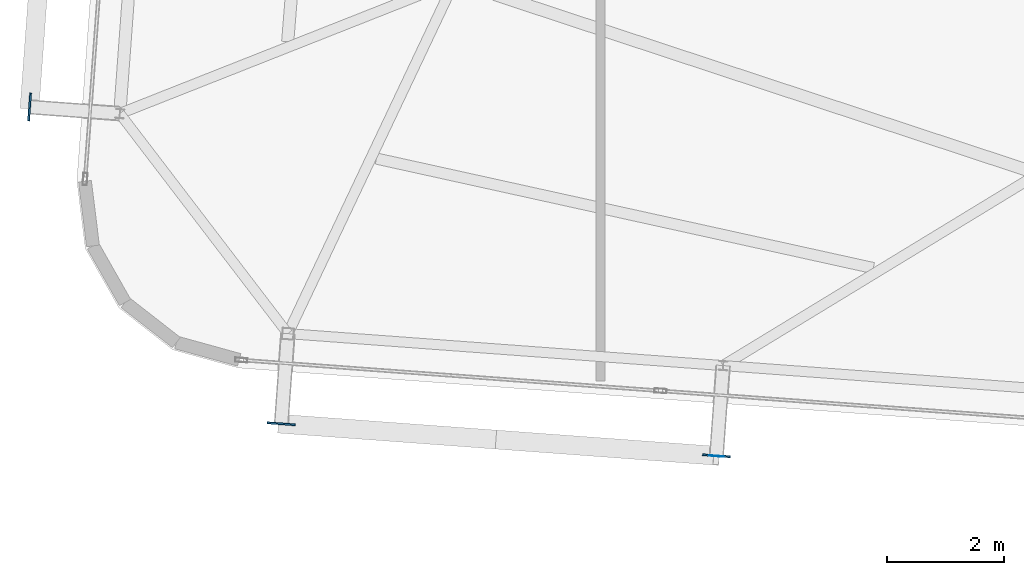
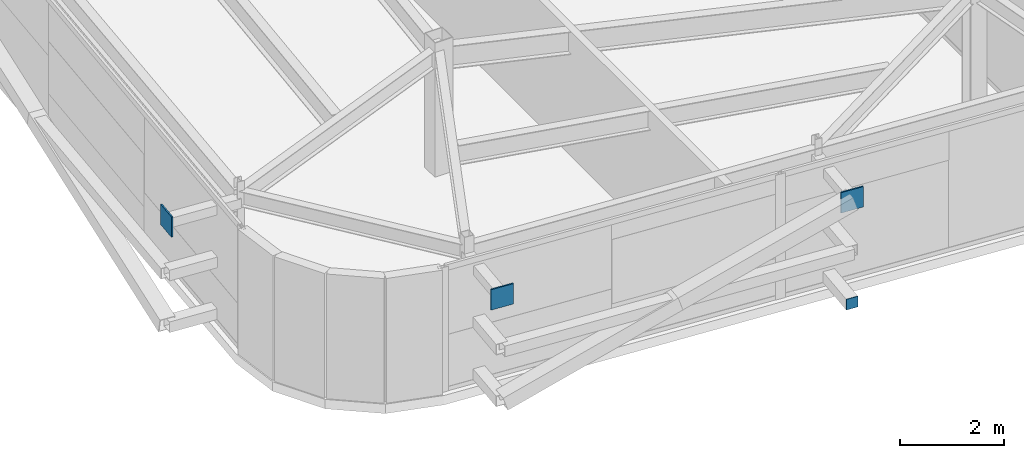
# One storey, part 29 of 39: 4 plates.
"""IFC4 building model written with IfcOpenShell, lengths in metres."""

from ifc_helpers import new_model, si_unit, direction, frame, origin, origin_2d, place, context, subcontext, project, spatial, rectangle, extrude, source, transform, mapped, material, layer, layer_set, type_object, element, save


model = new_model("IFC4")

# Units and contexts
model_context = context("Model", 3, precision=1e-05, world=origin(), true_north=direction((0.0, 1.0)))
body_context = subcontext(model_context, "Body", "Model", "MODEL_VIEW")
ifc_project = project(units=[si_unit("LENGTHUNIT", "METRE"), si_unit("AREAUNIT", "SQUARE_METRE"), si_unit("VOLUMEUNIT", "CUBIC_METRE"), si_unit("PLANEANGLEUNIT", "RADIAN"), si_unit("MASSUNIT", "GRAM", prefix="KILO")], contexts=[model_context])

# Site, building, storey
site_placement = place(None, origin())
site = spatial("IfcSite", under=ifc_project, at=site_placement, CompositionType="ELEMENT")
building_placement = place(site_placement, origin())
building = spatial("IfcBuilding", under=site, at=building_placement, Name="Taldren Reach Tower", CompositionType="ELEMENT")
storey_placement = place(building_placement, frame((0.0, 0.0, 230.300048828125)))
storey = spatial("IfcBuildingStorey", under=building, at=storey_placement, Name="L70", CompositionType="ELEMENT", Elevation=230.300048828125)

# Plates
ifc_material_1 = material(Name="Steel Gr 350 (C350L0)", Category="steel")
ifc_layer_1 = layer(ifc_material_1, 0.011962890625)
ifc_layer_set_1 = layer_set([ifc_layer_1], Name="Steel Gr 350 (C350L0)")
plate_type_1 = type_object("IfcPlateType", Name="PL-CAP-250", PredefinedType="SHEET", material=ifc_layer_set_1)
shared_shape_1 = source(origin(), body_context, "Body", "SweptSolid", [
    extrude(rectangle(XDim=0.25, YDim=0.011962890625, at=origin_2d()), origin(), (0.0, 0.0, 1.0), 0.25),
])
plate_placement = place(storey_placement, frame((22.486572265625, 4.360595703125, 0.094970703125), z_axis=(0.0, 0.0, 1.0), x_axis=(0.997314477224, -0.073238197128, 0.0)))
element("IfcPlate", 1, at=plate_placement, inside=storey, type_object=plate_type_1, Name="Tie strut end cap plate B5-S2 L70", PredefinedType="SHEET", context=body_context, shape_type="MappedRepresentation", body=[
    mapped(shared_shape_1, transform((0.0, 0.0, 0.0), scale=1.0)),
])
ifc_material_2 = material(Name="Steel Gr 450 (C450L0)", Category="steel")
ifc_layer_2 = layer(ifc_material_2, 0.031982421875)
ifc_layer_set_2 = layer_set([ifc_layer_2], Name="Steel Gr 450 (C450L0)")
plate_type_2 = type_object("IfcPlateType", Name="PL-GUSSET-32", PredefinedType="SHEET", material=ifc_layer_set_2)
shared_shape_2 = source(origin(), body_context, "Body", "SweptSolid", [
    extrude(rectangle(XDim=0.47998046875, YDim=0.031982421875, at=origin_2d()), origin(), (0.0, 0.0, 1.0), 0.47998046875),
])
for number, where, z_axis, x_axis, name in (
    (2, (15.027099609375, 4.914306640625, 2.409912109375), (0.0, 0.0, 1.0), (0.997314477224, -0.073238197128, 0.0), "Exoskeleton star-node gusset plate B5-S1 L70"),
    (3, (22.487060546875, 4.36669921875, 2.409912109375), (0.0, 0.0, 1.0), (0.997314477224, -0.073238197128, 0.0), "Exoskeleton star-node gusset plate B5-S2 L70"),
    (4, (10.71337890625, 10.344970703125, 2.409912109375), (0.0, 0.0, 1.0), (0.073238197128, 0.997314477224, 0.0), "Exoskeleton star-node gusset plate B5-W1 L70"),
):
    element("IfcPlate", number, at=place(storey_placement, frame(where, z_axis=z_axis, x_axis=x_axis)), inside=storey, type_object=plate_type_2, Name=name, PredefinedType="SHEET", context=body_context, shape_type="MappedRepresentation", body=[
        mapped(shared_shape_2, transform((0.0, 0.0, 0.0), scale=1.0)),
    ])

save(model, "model.ifc")
